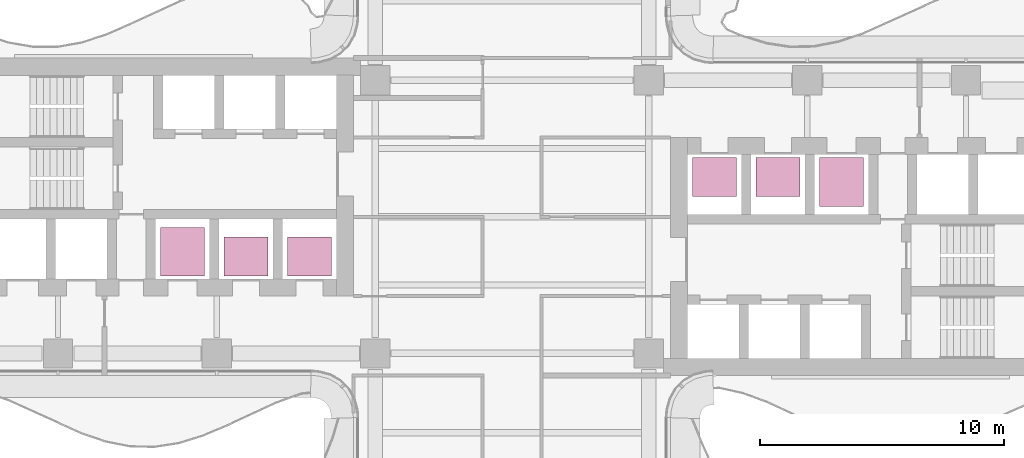
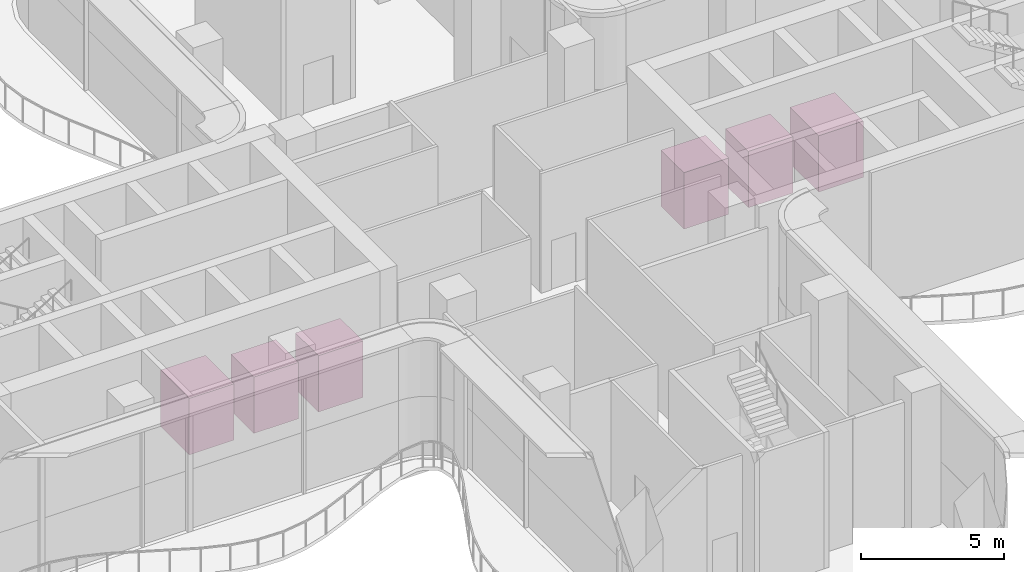
# One storey, part 19 of 19: 6 transport elements.
"""IFC4 building model written with IfcOpenShell, lengths in metres."""

from ifc_helpers import new_model, si_unit, direction, frame, origin, origin_2d, place, context, subcontext, project, spatial, rectangle, extrude, source, transform, mapped, material, type_object, element, save


model = new_model("IFC4")

# Units and contexts
model_context = context("Model", 3, precision=1e-05, world=origin(), true_north=direction((0.0, 1.0)))
body_context = subcontext(model_context, "Body", "Model", "MODEL_VIEW")
ifc_project = project(units=[si_unit("LENGTHUNIT", "METRE"), si_unit("AREAUNIT", "SQUARE_METRE"), si_unit("VOLUMEUNIT", "CUBIC_METRE"), si_unit("PLANEANGLEUNIT", "RADIAN"), si_unit("MASSUNIT", "GRAM", prefix="KILO")], contexts=[model_context])

# Site, building, storey
site_placement = place(None, origin())
site = spatial("IfcSite", under=ifc_project, at=site_placement, CompositionType="ELEMENT")
building_placement = place(site_placement, origin())
building = spatial("IfcBuilding", under=site, at=building_placement, Name="Trellis Farm Tower", CompositionType="ELEMENT")
storey_placement = place(building_placement, frame((0.0, 0.0, 156.0)))
storey = spatial("IfcBuildingStorey", under=building, at=storey_placement, Name="L33", CompositionType="ELEMENT", Elevation=156.0)

# Transport elements
ifc_material = material(Name="Stainless steel", Category="steel")
transport_element_type_1 = type_object("IfcTransportElementType", Name="MID-RISE PASSENGER LIFT 1800 X 1600", PredefinedType="ELEVATOR", material=ifc_material)
shared_shape_1 = source(origin(), body_context, "Body", "SweptSolid", [
    extrude(rectangle(XDim=1.800048828125, YDim=1.60009765625, at=origin_2d()), origin(), (0.0, 0.0, 1.0), 2.39990234375),
])
for number, where, z_axis, x_axis, name in (
    (1, (8.300048828125, 1.6298828125, 0.0), (0.0, 0.0, 1.0), (1.0, 0.0, 0.0), "Passenger lift LM1"),
    (2, (10.89990234375, 1.6298828125, 0.0), (0.0, 0.0, 1.0), (1.0, 0.0, 0.0), "Passenger lift LM2"),
    (3, (-8.300048828125, -1.6298828125, 0.0), (0.0, 0.0, 1.0), (-1.0, 0.0, 0.0), "Passenger lift LM3"),
    (4, (-10.89990234375, -1.6298828125, 0.0), (0.0, 0.0, 1.0), (-1.0, 0.0, 0.0), "Passenger lift LM4"),
):
    element("IfcTransportElement", number, at=place(storey_placement, frame(where, z_axis=z_axis, x_axis=x_axis)), inside=storey, type_object=transport_element_type_1, Name=name, PredefinedType="ELEVATOR", context=body_context, shape_type="MappedRepresentation", body=[
        mapped(shared_shape_1, transform((0.0, 0.0, 0.0))),
    ])
transport_element_type_2 = type_object("IfcTransportElementType", Name="HIGH-RISE PASSENGER LIFT 1800 X 2000", PredefinedType="ELEVATOR", material=ifc_material)
shared_shape_2 = source(origin(), body_context, "Body", "SweptSolid", [
    extrude(rectangle(XDim=1.800048828125, YDim=2.0, at=origin_2d()), origin(), (0.0, 0.0, 1.0), 2.39990234375),
])
for number, where, z_axis, x_axis, name in (
    (5, (13.5, 1.429931640625, 0.0), (0.0, 0.0, 1.0), (1.0, 0.0, 0.0), "Passenger lift LH1"),
    (6, (-13.5, -1.429931640625, 0.0), (0.0, 0.0, 1.0), (-1.0, 0.0, 0.0), "Passenger lift LH2"),
):
    element("IfcTransportElement", number, at=place(storey_placement, frame(where, z_axis=z_axis, x_axis=x_axis)), inside=storey, type_object=transport_element_type_2, Name=name, PredefinedType="ELEVATOR", context=body_context, shape_type="MappedRepresentation", body=[
        mapped(shared_shape_2, transform((0.0, 0.0, 0.0))),
    ])

save(model, "model.ifc")
